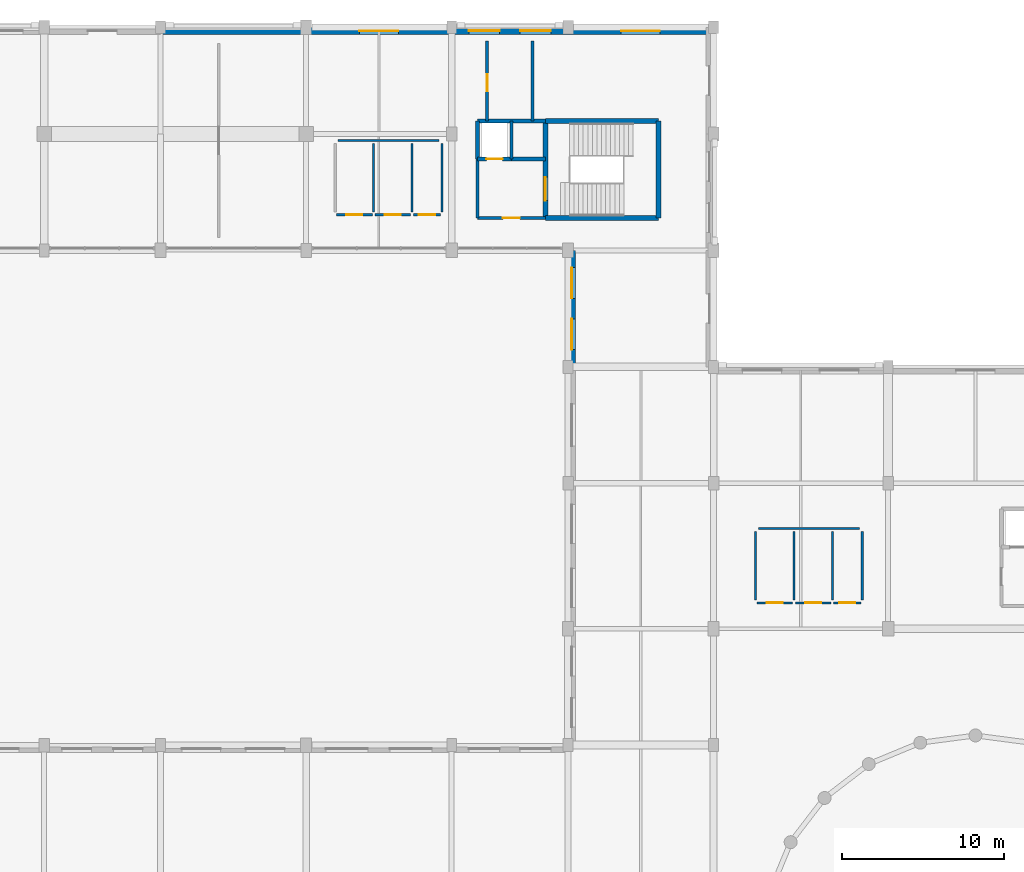
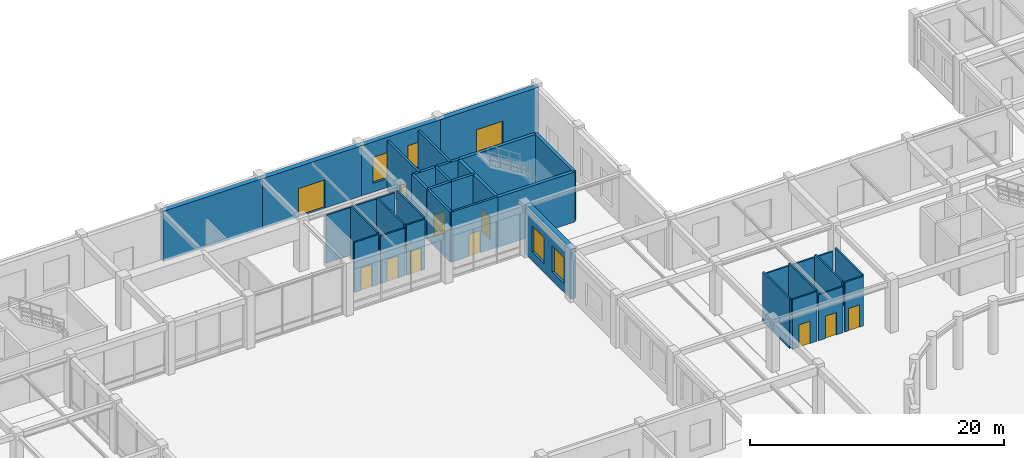
# One storey, part 50 of 64: 33 walls, 12 doors, 4 windows, 16 openings.
"""IFC4 building model written with IfcOpenShell, lengths in metres."""

from ifc_helpers import new_model, si_unit, direction, frame, frame_2d, origin, place, context, subcontext, project, spatial, rectangle, extrude, material, layer, layer_set, type_object, element, fill, save


model = new_model("IFC4")

# Units and contexts
model_context = context("Model", 3, precision=1e-05, world=origin(), true_north=direction((0.0, 1.0)))
body_context = subcontext(model_context, "Body", "Model", "MODEL_VIEW")
ifc_project = project(units=[si_unit("LENGTHUNIT", "METRE"), si_unit("AREAUNIT", "SQUARE_METRE"), si_unit("VOLUMEUNIT", "CUBIC_METRE"), si_unit("PLANEANGLEUNIT", "RADIAN"), si_unit("MASSUNIT", "GRAM", prefix="KILO")], contexts=[model_context])

# Site, building, storey
site_placement = place(None, origin())
site = spatial("IfcSite", under=ifc_project, at=site_placement, CompositionType="ELEMENT")
building_placement = place(site_placement, origin())
building = spatial("IfcBuilding", under=site, at=building_placement, Name="Clarverna Civic Hall", CompositionType="ELEMENT")
storey_placement = place(building_placement, origin())
storey = spatial("IfcBuildingStorey", under=building, at=storey_placement, Name="L00", CompositionType="ELEMENT", Elevation=0.0)

# Wall
ifc_material_1 = material(Name="Precast concrete C40/50", Category="concrete")
ifc_layer_1 = layer(ifc_material_1, 0.449951171875)
ifc_layer_set_1 = layer_set([ifc_layer_1], Name="Precast concrete C40/50")
wall_type_1 = type_object("IfcWallType", Name="EW-01", PredefinedType="SOLIDWALL", material=ifc_layer_set_1)
wall_1_placement = place(storey_placement, frame((32.39990234375, 115.77490234375, 0.0), z_axis=(0.0, 0.0, 1.0), x_axis=(1.0, 0.0, 0.0)))
element("IfcWall", 1, at=wall_1_placement, inside=storey, type_object=wall_type_1, Name="EW-01-020", PredefinedType="SOLIDWALL", context=body_context, shape_type="SweptSolid", body=[
    extrude(rectangle(XDim=9.0, YDim=0.449951171875, at=frame_2d((4.5, 0.0))), origin(), (0.0, 0.0, 1.0), 4.820068359375),
])

# Wall, opening, door
wall_2_placement = place(storey_placement, frame((41.39990234375, 115.77490234375, 0.0), z_axis=(0.0, 0.0, 1.0), x_axis=(1.0, 0.0, 0.0)))
wall_2 = element("IfcWall", 2, at=wall_2_placement, inside=storey, type_object=wall_type_1, Name="EW-01-021", PredefinedType="SOLIDWALL", context=body_context, shape_type="SweptSolid", body=[
    extrude(rectangle(XDim=9.0, YDim=0.449951171875, at=frame_2d((4.5, 0.0))), origin(), (0.0, 0.0, 1.0), 4.820068359375),
])
opening_1_placement = place(wall_2_placement, frame((3.300048828125, 0.0, 0.0)))
opening_1 = element("IfcOpeningElement", 3, at=opening_1_placement, cuts=wall_2, Name="Opening ED-01", PredefinedType="OPENING", context=body_context, shape_type="SweptSolid", body=[
    extrude(rectangle(XDim=2.39990234375, YDim=2.699951171875, at=frame_2d((1.199951171875, 1.35009765625))), frame((0.0, 0.23486328125, 0.0), z_axis=(0.0, -1.0, 0.0), x_axis=(1.0, 0.0, 0.0)), (0.0, 0.0, 1.0), 0.469970703125),
])
ifc_material_2 = material(Name="Anodised Bronze Glazed Door")
door_type_1 = type_object("IfcDoorType", Name="ED-01", OperationType="DOUBLE_DOOR_SINGLE_SWING", PredefinedType="DOOR", material=ifc_material_2)
door_1_placement = place(opening_1_placement, origin())
door_1 = element("IfcDoor", 4, at=door_1_placement, inside=storey, type_object=door_type_1, Name="ED-01-004", OperationType="DOUBLE_DOOR_SINGLE_SWING", OverallHeight=2.699951171875, OverallWidth=2.39990234375, PredefinedType="DOOR", context=body_context, shape_type="SweptSolid", body=[
    extrude(rectangle(XDim=2.39990234375, YDim=2.699951171875, at=frame_2d((1.199951171875, 1.35009765625))), frame((0.0, 0.02490234375, 0.0), z_axis=(0.0, -1.0, 0.0), x_axis=(1.0, 0.0, 0.0)), (0.0, 0.0, 1.0), 0.050048828125),
])
fill(opening_1, door_1)

# Wall, openings, windows
wall_3_placement = place(storey_placement, frame((50.39990234375, 115.77490234375, 0.0), z_axis=(0.0, 0.0, 1.0), x_axis=(1.0, 0.0, 0.0)))
wall_3 = element("IfcWall", 5, at=wall_3_placement, inside=storey, type_object=wall_type_1, Name="EW-01-022", PredefinedType="SOLIDWALL", context=body_context, shape_type="SweptSolid", body=[
    extrude(rectangle(XDim=7.2001953125, YDim=0.449951171875, at=frame_2d((3.60009765625, 0.0))), origin(), (0.0, 0.0, 1.0), 4.820068359375),
])
opening_2_placement = place(wall_3_placement, frame((1.06591796875, 0.0, 0.85009765625)))
opening_2 = element("IfcOpeningElement", 6, at=opening_2_placement, cuts=wall_3, Name="Opening WN-30", PredefinedType="OPENING", context=body_context, shape_type="SweptSolid", body=[
    extrude(rectangle(XDim=1.89990234375, YDim=2.5, at=frame_2d((0.949951171875, 1.25))), frame((0.0, 0.23486328125, 0.0), z_axis=(0.0, -1.0, 0.0), x_axis=(1.0, 0.0, 0.0)), (0.0, 0.0, 1.0), 0.469970703125),
])
opening_3_placement = place(wall_3_placement, frame((4.23388671875, 0.0, 0.85009765625)))
opening_3 = element("IfcOpeningElement", 7, at=opening_3_placement, cuts=wall_3, Name="Opening WN-30", PredefinedType="OPENING", context=body_context, shape_type="SweptSolid", body=[
    extrude(rectangle(XDim=1.89990234375, YDim=2.5, at=frame_2d((0.949951171875, 1.25))), frame((0.0, 0.23486328125, 0.0), z_axis=(0.0, -1.0, 0.0), x_axis=(1.0, 0.0, 0.0)), (0.0, 0.0, 1.0), 0.469970703125),
])
ifc_material_3 = material(Name="Solar-Control Argon Low-E Double Glazing", Category="glass")
window_type = type_object("IfcWindowType", Name="WN-30", PartitioningType="DOUBLE_PANEL_VERTICAL", PredefinedType="WINDOW", material=ifc_material_3)
window_1_placement = place(opening_2_placement, origin())
window_1 = element("IfcWindow", 8, at=window_1_placement, inside=storey, type_object=window_type, Name="WN-30-004", OverallHeight=2.5, OverallWidth=1.89990234375, PartitioningType="DOUBLE_PANEL_VERTICAL", PredefinedType="WINDOW", context=body_context, shape_type="SweptSolid", body=[
    extrude(rectangle(XDim=1.89990234375, YDim=2.5, at=frame_2d((0.949951171875, 1.25))), frame((0.0, 0.030029296875, 0.0), z_axis=(0.0, -1.0, 0.0), x_axis=(1.0, 0.0, 0.0)), (0.0, 0.0, 1.0), 0.06005859375),
])
fill(opening_2, window_1)
window_2_placement = place(opening_3_placement, origin())
window_2 = element("IfcWindow", 9, at=window_2_placement, inside=storey, type_object=window_type, Name="WN-30-005", OverallHeight=2.5, OverallWidth=1.89990234375, PartitioningType="DOUBLE_PANEL_VERTICAL", PredefinedType="WINDOW", context=body_context, shape_type="SweptSolid", body=[
    extrude(rectangle(XDim=1.89990234375, YDim=2.5, at=frame_2d((0.949951171875, 1.25))), frame((0.0, 0.030029296875, 0.0), z_axis=(0.0, -1.0, 0.0), x_axis=(1.0, 0.0, 0.0)), (0.0, 0.0, 1.0), 0.06005859375),
])
fill(opening_3, window_2)

# Wall, opening, door
wall_4_placement = place(storey_placement, frame((57.60009765625, 115.77490234375, 0.0), z_axis=(0.0, 0.0, 1.0), x_axis=(1.0, 0.0, 0.0)))
wall_4 = element("IfcWall", 10, at=wall_4_placement, inside=storey, type_object=wall_type_1, Name="EW-01-023", PredefinedType="SOLIDWALL", context=body_context, shape_type="SweptSolid", body=[
    extrude(rectangle(XDim=8.974853515625, YDim=0.449951171875, at=frame_2d((4.4873046875, 0.0))), origin(), (0.0, 0.0, 1.0), 4.820068359375),
])
opening_4_placement = place(wall_4_placement, frame((3.28759765625, 0.0, 0.0)))
opening_4 = element("IfcOpeningElement", 11, at=opening_4_placement, cuts=wall_4, Name="Opening ED-01", PredefinedType="OPENING", context=body_context, shape_type="SweptSolid", body=[
    extrude(rectangle(XDim=2.39990234375, YDim=2.699951171875, at=frame_2d((1.199951171875, 1.35009765625))), frame((0.0, 0.23486328125, 0.0), z_axis=(0.0, -1.0, 0.0), x_axis=(1.0, 0.0, 0.0)), (0.0, 0.0, 1.0), 0.469970703125),
])
door_2_placement = place(opening_4_placement, origin())
door_2 = element("IfcDoor", 12, at=door_2_placement, inside=storey, type_object=door_type_1, Name="ED-01-005", OperationType="DOUBLE_DOOR_SINGLE_SWING", OverallHeight=2.699951171875, OverallWidth=2.39990234375, PredefinedType="DOOR", context=body_context, shape_type="SweptSolid", body=[
    extrude(rectangle(XDim=2.39990234375, YDim=2.699951171875, at=frame_2d((1.199951171875, 1.35009765625))), frame((0.0, 0.02490234375, 0.0), z_axis=(0.0, -1.0, 0.0), x_axis=(1.0, 0.0, 0.0)), (0.0, 0.0, 1.0), 0.050048828125),
])
fill(opening_4, door_2)

# Wall, openings, windows
wall_5_placement = place(storey_placement, frame((57.824951171875, 95.0, 0.0), z_axis=(0.0, 0.0, 1.0), x_axis=(0.0, 1.0, 0.0)))
wall_5 = element("IfcWall", 13, at=wall_5_placement, inside=storey, type_object=wall_type_1, Name="EW-01-094", PredefinedType="SOLIDWALL", context=body_context, shape_type="SweptSolid", body=[
    extrude(rectangle(XDim=7.199951171875, YDim=0.449951171875, at=frame_2d((3.60009765625, 0.0))), origin(), (0.0, 0.0, 1.0), 4.820068359375),
])
opening_5_placement = place(wall_5_placement, frame((1.06591796875, 0.0, 0.85009765625)))
opening_5 = element("IfcOpeningElement", 14, at=opening_5_placement, cuts=wall_5, Name="Opening WN-30", PredefinedType="OPENING", context=body_context, shape_type="SweptSolid", body=[
    extrude(rectangle(XDim=1.89990234375, YDim=2.5, at=frame_2d((0.949951171875, 1.25))), frame((0.0, 0.23486328125, 0.0), z_axis=(0.0, -1.0, 0.0), x_axis=(1.0, 0.0, 0.0)), (0.0, 0.0, 1.0), 0.469970703125),
])
opening_6_placement = place(wall_5_placement, frame((4.23388671875, 0.0, 0.85009765625)))
opening_6 = element("IfcOpeningElement", 15, at=opening_6_placement, cuts=wall_5, Name="Opening WN-30", PredefinedType="OPENING", context=body_context, shape_type="SweptSolid", body=[
    extrude(rectangle(XDim=1.89990234375, YDim=2.5, at=frame_2d((0.949951171875, 1.25))), frame((0.0, 0.23486328125, 0.0), z_axis=(0.0, -1.0, 0.0), x_axis=(1.0, 0.0, 0.0)), (0.0, 0.0, 1.0), 0.469970703125),
])
window_3_placement = place(opening_5_placement, origin())
window_3 = element("IfcWindow", 16, at=window_3_placement, inside=storey, type_object=window_type, Name="WN-30-022", OverallHeight=2.5, OverallWidth=1.89990234375, PartitioningType="DOUBLE_PANEL_VERTICAL", PredefinedType="WINDOW", context=body_context, shape_type="SweptSolid", body=[
    extrude(rectangle(XDim=1.89990234375, YDim=2.5, at=frame_2d((0.949951171875, 1.25))), frame((0.0, 0.030029296875, 0.0), z_axis=(0.0, -1.0, 0.0), x_axis=(1.0, 0.0, 0.0)), (0.0, 0.0, 1.0), 0.06005859375),
])
fill(opening_5, window_3)
window_4_placement = place(opening_6_placement, origin())
window_4 = element("IfcWindow", 17, at=window_4_placement, inside=storey, type_object=window_type, Name="WN-30-023", OverallHeight=2.5, OverallWidth=1.89990234375, PartitioningType="DOUBLE_PANEL_VERTICAL", PredefinedType="WINDOW", context=body_context, shape_type="SweptSolid", body=[
    extrude(rectangle(XDim=1.89990234375, YDim=2.5, at=frame_2d((0.949951171875, 1.25))), frame((0.0, 0.030029296875, 0.0), z_axis=(0.0, -1.0, 0.0), x_axis=(1.0, 0.0, 0.0)), (0.0, 0.0, 1.0), 0.06005859375),
])
fill(opening_6, window_4)

# Walls
ifc_material_4 = material(Name="Ceramic Brick and Plaster Wet-Room Partition", Category="masonry")
ifc_layer_2 = layer(ifc_material_4, 0.139892578125)
ifc_layer_set_2 = layer_set([ifc_layer_2], Name="Ceramic Brick and Plaster Wet-Room Partition")
wall_type_2 = type_object("IfcWallType", Name="PW-02", PredefinedType="PARTITIONING", material=ifc_layer_set_2)
wall_6_placement = place(storey_placement, frame((69.3798828125, 85.0, 0.0), z_axis=(0.0, 0.0, 1.0), x_axis=(1.0, 0.0, 0.0)))
element("IfcWall", 18, at=wall_6_placement, inside=storey, type_object=wall_type_2, Name="PW-02-073", PredefinedType="PARTITIONING", context=body_context, shape_type="SweptSolid", body=[
    extrude(rectangle(XDim=6.240234375, YDim=0.139892578125, at=frame_2d((3.1201171875, 0.0))), origin(), (0.0, 0.0, 1.0), 4.419921875),
])
for number, where, z_axis, x_axis, name in (
    (19, (69.199951171875, 80.580078125, 0.0), (0.0, 0.0, 1.0), (0.0, 1.0, 0.0), "PW-02-074"),
    (20, (75.800048828125, 80.580078125, 0.0), (0.0, 0.0, 1.0), (0.0, 1.0, 0.0), "PW-02-075"),
    (21, (71.575927734375, 80.580078125, 0.0), (0.0, 0.0, 1.0), (0.0, 1.0, 0.0), "PW-02-076"),
    (22, (73.951904296875, 80.580078125, 0.0), (0.0, 0.0, 1.0), (0.0, 1.0, 0.0), "PW-02-077"),
):
    element("IfcWall", number, at=place(storey_placement, frame(where, z_axis=z_axis, x_axis=x_axis)), inside=storey, type_object=wall_type_2, Name=name, PredefinedType="PARTITIONING", context=body_context, shape_type="SweptSolid", body=[
        extrude(rectangle(XDim=4.239990234375, YDim=0.139892578125, at=frame_2d((2.1201171875, 0.0))), origin(), (0.0, 0.0, 1.0), 4.780029296875),
    ])

# Wall, opening, door
wall_7_placement = place(storey_placement, frame((69.280029296875, 80.39990234375, 0.0), z_axis=(0.0, 0.0, 1.0), x_axis=(1.0, 0.0, 0.0)))
wall_7 = element("IfcWall", 23, at=wall_7_placement, inside=storey, type_object=wall_type_2, Name="PW-02-078", PredefinedType="PARTITIONING", context=body_context, shape_type="SweptSolid", body=[
    extrude(rectangle(XDim=2.216064453125, YDim=0.139892578125, at=frame_2d((1.10791015625, 0.0))), origin(), (0.0, 0.0, 1.0), 4.780029296875),
])
opening_7_placement = place(wall_7_placement, frame((0.60791015625, 0.0, 0.0)))
opening_7 = element("IfcOpeningElement", 24, at=opening_7_placement, cuts=wall_7, Name="Opening ID-02", PredefinedType="OPENING", context=body_context, shape_type="SweptSolid", body=[
    extrude(rectangle(XDim=1.0, YDim=2.14990234375, at=frame_2d((0.5, 1.074951171875))), frame((0.0, 0.079833984375, 0.0), z_axis=(0.0, -1.0, 0.0), x_axis=(1.0, 0.0, 0.0)), (0.0, 0.0, 1.0), 0.159912109375),
])
ifc_material_5 = material(Name="European Oak Veneered Acoustic Timber Door", Category="wood")
door_type_2 = type_object("IfcDoorType", Name="ID-02", OperationType="NOTDEFINED", PredefinedType="DOOR", material=ifc_material_5)
door_3_placement = place(opening_7_placement, origin())
door_3 = element("IfcDoor", 25, at=door_3_placement, inside=storey, type_object=door_type_2, Name="ID-02-028", OperationType="SINGLE_SWING_RIGHT", OverallHeight=2.14990234375, OverallWidth=1.0, PredefinedType="DOOR", context=body_context, shape_type="SweptSolid", body=[
    extrude(rectangle(XDim=1.0, YDim=2.14990234375, at=frame_2d((0.5, 1.074951171875))), frame((0.0, 0.02490234375, 0.0), z_axis=(0.0, -1.0, 0.0), x_axis=(1.0, 0.0, 0.0)), (0.0, 0.0, 1.0), 0.050048828125),
])
fill(opening_7, door_3)

wall_8_placement = place(storey_placement, frame((71.656005859375, 80.39990234375, 0.0), z_axis=(0.0, 0.0, 1.0), x_axis=(1.0, 0.0, 0.0)))
wall_8 = element("IfcWall", 26, at=wall_8_placement, inside=storey, type_object=wall_type_2, Name="PW-02-079", PredefinedType="PARTITIONING", context=body_context, shape_type="SweptSolid", body=[
    extrude(rectangle(XDim=2.216064453125, YDim=0.139892578125, at=frame_2d((1.10791015625, 0.0))), origin(), (0.0, 0.0, 1.0), 4.419921875),
])
opening_8_placement = place(wall_8_placement, frame((0.60791015625, 0.0, 0.0)))
opening_8 = element("IfcOpeningElement", 27, at=opening_8_placement, cuts=wall_8, Name="Opening ID-02", PredefinedType="OPENING", context=body_context, shape_type="SweptSolid", body=[
    extrude(rectangle(XDim=1.0, YDim=2.14990234375, at=frame_2d((0.5, 1.074951171875))), frame((0.0, 0.079833984375, 0.0), z_axis=(0.0, -1.0, 0.0), x_axis=(1.0, 0.0, 0.0)), (0.0, 0.0, 1.0), 0.159912109375),
])
door_4_placement = place(opening_8_placement, origin())
door_4 = element("IfcDoor", 28, at=door_4_placement, inside=storey, type_object=door_type_2, Name="ID-02-029", OperationType="SINGLE_SWING_LEFT", OverallHeight=2.14990234375, OverallWidth=1.0, PredefinedType="DOOR", context=body_context, shape_type="SweptSolid", body=[
    extrude(rectangle(XDim=1.0, YDim=2.14990234375, at=frame_2d((0.5, 1.074951171875))), frame((0.0, 0.02490234375, 0.0), z_axis=(0.0, -1.0, 0.0), x_axis=(1.0, 0.0, 0.0)), (0.0, 0.0, 1.0), 0.050048828125),
])
fill(opening_8, door_4)

wall_9_placement = place(storey_placement, frame((74.031982421875, 80.39990234375, 0.0), z_axis=(0.0, 0.0, 1.0), x_axis=(1.0, 0.0, 0.0)))
wall_9 = element("IfcWall", 29, at=wall_9_placement, inside=storey, type_object=wall_type_2, Name="PW-02-080", PredefinedType="PARTITIONING", context=body_context, shape_type="SweptSolid", body=[
    extrude(rectangle(XDim=1.68798828125, YDim=0.139892578125, at=frame_2d((0.843994140625, 0.0))), origin(), (0.0, 0.0, 1.0), 4.780029296875),
])
opening_9_placement = place(wall_9_placement, frame((0.343994140625, 0.0, 0.0)))
opening_9 = element("IfcOpeningElement", 30, at=opening_9_placement, cuts=wall_9, Name="Opening ID-02", PredefinedType="OPENING", context=body_context, shape_type="SweptSolid", body=[
    extrude(rectangle(XDim=1.0, YDim=2.14990234375, at=frame_2d((0.5, 1.074951171875))), frame((0.0, 0.079833984375, 0.0), z_axis=(0.0, -1.0, 0.0), x_axis=(1.0, 0.0, 0.0)), (0.0, 0.0, 1.0), 0.159912109375),
])
door_5_placement = place(opening_9_placement, origin())
door_5 = element("IfcDoor", 31, at=door_5_placement, inside=storey, type_object=door_type_2, Name="ID-02-030", OperationType="SINGLE_SWING_RIGHT", OverallHeight=2.14990234375, OverallWidth=1.0, PredefinedType="DOOR", context=body_context, shape_type="SweptSolid", body=[
    extrude(rectangle(XDim=1.0, YDim=2.14990234375, at=frame_2d((0.5, 1.074951171875))), frame((0.0, 0.02490234375, 0.0), z_axis=(0.0, -1.0, 0.0), x_axis=(1.0, 0.0, 0.0)), (0.0, 0.0, 1.0), 0.050048828125),
])
fill(opening_9, door_5)

# Walls
wall_10_placement = place(storey_placement, frame((43.3798828125, 109.0, 0.0), z_axis=(0.0, 0.0, 1.0), x_axis=(1.0, 0.0, 0.0)))
element("IfcWall", 32, at=wall_10_placement, inside=storey, type_object=wall_type_2, Name="PW-02-121", PredefinedType="PARTITIONING", context=body_context, shape_type="SweptSolid", body=[
    extrude(rectangle(XDim=6.240234375, YDim=0.139892578125, at=frame_2d((3.1201171875, 0.0))), origin(), (0.0, 0.0, 1.0), 4.60009765625),
])
for number, where, z_axis, x_axis, name in (
    (33, (49.800048828125, 104.580078125, 0.0), (0.0, 0.0, 1.0), (0.0, 1.0, 0.0), "PW-02-123"),
    (34, (45.575927734375, 104.580078125, 0.0), (0.0, 0.0, 1.0), (0.0, 1.0, 0.0), "PW-02-124"),
    (35, (47.951904296875, 104.580078125, 0.0), (0.0, 0.0, 1.0), (0.0, 1.0, 0.0), "PW-02-125"),
):
    element("IfcWall", number, at=place(storey_placement, frame(where, z_axis=z_axis, x_axis=x_axis)), inside=storey, type_object=wall_type_2, Name=name, PredefinedType="PARTITIONING", context=body_context, shape_type="SweptSolid", body=[
        extrude(rectangle(XDim=4.239990234375, YDim=0.139892578125, at=frame_2d((2.1201171875, 0.0))), origin(), (0.0, 0.0, 1.0), 4.820068359375),
    ])

# Wall, opening, door
wall_11_placement = place(storey_placement, frame((43.280029296875, 104.39990234375, 0.0), z_axis=(0.0, 0.0, 1.0), x_axis=(1.0, 0.0, 0.0)))
wall_11 = element("IfcWall", 36, at=wall_11_placement, inside=storey, type_object=wall_type_2, Name="PW-02-126", PredefinedType="PARTITIONING", context=body_context, shape_type="SweptSolid", body=[
    extrude(rectangle(XDim=2.216064453125, YDim=0.139892578125, at=frame_2d((1.10791015625, 0.0))), origin(), (0.0, 0.0, 1.0), 4.820068359375),
])
opening_10_placement = place(wall_11_placement, frame((0.60791015625, 0.0, 0.0)))
opening_10 = element("IfcOpeningElement", 37, at=opening_10_placement, cuts=wall_11, Name="Opening ID-02", PredefinedType="OPENING", context=body_context, shape_type="SweptSolid", body=[
    extrude(rectangle(XDim=1.0, YDim=2.14990234375, at=frame_2d((0.5, 1.074951171875))), frame((0.0, 0.079833984375, 0.0), z_axis=(0.0, -1.0, 0.0), x_axis=(1.0, 0.0, 0.0)), (0.0, 0.0, 1.0), 0.159912109375),
])
door_6_placement = place(opening_10_placement, origin())
door_6 = element("IfcDoor", 38, at=door_6_placement, inside=storey, type_object=door_type_2, Name="ID-02-046", OperationType="SINGLE_SWING_RIGHT", OverallHeight=2.14990234375, OverallWidth=1.0, PredefinedType="DOOR", context=body_context, shape_type="SweptSolid", body=[
    extrude(rectangle(XDim=1.0, YDim=2.14990234375, at=frame_2d((0.5, 1.074951171875))), frame((0.0, 0.02490234375, 0.0), z_axis=(0.0, -1.0, 0.0), x_axis=(1.0, 0.0, 0.0)), (0.0, 0.0, 1.0), 0.050048828125),
])
fill(opening_10, door_6)

wall_12_placement = place(storey_placement, frame((45.656005859375, 104.39990234375, 0.0), z_axis=(0.0, 0.0, 1.0), x_axis=(1.0, 0.0, 0.0)))
wall_12 = element("IfcWall", 39, at=wall_12_placement, inside=storey, type_object=wall_type_2, Name="PW-02-127", PredefinedType="PARTITIONING", context=body_context, shape_type="SweptSolid", body=[
    extrude(rectangle(XDim=2.216064453125, YDim=0.139892578125, at=frame_2d((1.10791015625, 0.0))), origin(), (0.0, 0.0, 1.0), 4.60009765625),
])
opening_11_placement = place(wall_12_placement, frame((0.60791015625, 0.0, 0.0)))
opening_11 = element("IfcOpeningElement", 40, at=opening_11_placement, cuts=wall_12, Name="Opening ID-02", PredefinedType="OPENING", context=body_context, shape_type="SweptSolid", body=[
    extrude(rectangle(XDim=1.0, YDim=2.14990234375, at=frame_2d((0.5, 1.074951171875))), frame((0.0, 0.079833984375, 0.0), z_axis=(0.0, -1.0, 0.0), x_axis=(1.0, 0.0, 0.0)), (0.0, 0.0, 1.0), 0.159912109375),
])
door_7_placement = place(opening_11_placement, origin())
door_7 = element("IfcDoor", 41, at=door_7_placement, inside=storey, type_object=door_type_2, Name="ID-02-047", OperationType="SINGLE_SWING_LEFT", OverallHeight=2.14990234375, OverallWidth=1.0, PredefinedType="DOOR", context=body_context, shape_type="SweptSolid", body=[
    extrude(rectangle(XDim=1.0, YDim=2.14990234375, at=frame_2d((0.5, 1.074951171875))), frame((0.0, 0.02490234375, 0.0), z_axis=(0.0, -1.0, 0.0), x_axis=(1.0, 0.0, 0.0)), (0.0, 0.0, 1.0), 0.050048828125),
])
fill(opening_11, door_7)

wall_13_placement = place(storey_placement, frame((48.031982421875, 104.39990234375, 0.0), z_axis=(0.0, 0.0, 1.0), x_axis=(1.0, 0.0, 0.0)))
wall_13 = element("IfcWall", 42, at=wall_13_placement, inside=storey, type_object=wall_type_2, Name="PW-02-128", PredefinedType="PARTITIONING", context=body_context, shape_type="SweptSolid", body=[
    extrude(rectangle(XDim=1.68798828125, YDim=0.139892578125, at=frame_2d((0.843994140625, 0.0))), origin(), (0.0, 0.0, 1.0), 4.820068359375),
])
opening_12_placement = place(wall_13_placement, frame((0.343994140625, 0.0, 0.0)))
opening_12 = element("IfcOpeningElement", 43, at=opening_12_placement, cuts=wall_13, Name="Opening ID-02", PredefinedType="OPENING", context=body_context, shape_type="SweptSolid", body=[
    extrude(rectangle(XDim=1.0, YDim=2.14990234375, at=frame_2d((0.5, 1.074951171875))), frame((0.0, 0.079833984375, 0.0), z_axis=(0.0, -1.0, 0.0), x_axis=(1.0, 0.0, 0.0)), (0.0, 0.0, 1.0), 0.159912109375),
])
door_8_placement = place(opening_12_placement, origin())
door_8 = element("IfcDoor", 44, at=door_8_placement, inside=storey, type_object=door_type_2, Name="ID-02-048", OperationType="SINGLE_SWING_RIGHT", OverallHeight=2.14990234375, OverallWidth=1.0, PredefinedType="DOOR", context=body_context, shape_type="SweptSolid", body=[
    extrude(rectangle(XDim=1.0, YDim=2.14990234375, at=frame_2d((0.5, 1.074951171875))), frame((0.0, 0.02490234375, 0.0), z_axis=(0.0, -1.0, 0.0), x_axis=(1.0, 0.0, 0.0)), (0.0, 0.0, 1.0), 0.050048828125),
])
fill(opening_12, door_8)

# Wall
ifc_material_6 = material(Name="Acoustic Gypsum Plasterboard on Twin Frame", Category="gypsum")
ifc_layer_3 = layer(ifc_material_6, 0.18994140625)
ifc_layer_set_3 = layer_set([ifc_layer_3], Name="Acoustic Gypsum Plasterboard on Twin Frame")
wall_type_3 = type_object("IfcWallType", Name="PW-06", PredefinedType="PARTITIONING", material=ifc_layer_set_3)
wall_14_placement = place(storey_placement, frame((52.0, 104.199951171875, 0.0), z_axis=(0.0, 0.0, 1.0), x_axis=(0.0, 1.0, 0.0)))
element("IfcWall", 45, at=wall_14_placement, inside=storey, type_object=wall_type_3, Name="PW-06-105", PredefinedType="PARTITIONING", context=body_context, shape_type="SweptSolid", body=[
    extrude(rectangle(XDim=3.650146484375, YDim=0.18994140625, at=frame_2d((1.8251953125, 0.0))), origin(), (0.0, 0.0, 1.0), 4.820068359375),
])

# Wall, opening, door
wall_15_placement = place(storey_placement, frame((52.0, 104.199951171875, 0.0), z_axis=(0.0, 0.0, 1.0), x_axis=(1.0, 0.0, 0.0)))
wall_15 = element("IfcWall", 46, at=wall_15_placement, inside=storey, type_object=wall_type_3, Name="PW-06-106", PredefinedType="PARTITIONING", context=body_context, shape_type="SweptSolid", body=[
    extrude(rectangle(XDim=4.199951171875, YDim=0.18994140625, at=frame_2d((2.10009765625, 0.0))), origin(), (0.0, 0.0, 1.0), 4.820068359375),
])
opening_13_placement = place(wall_15_placement, frame((1.574951171875, 0.0, 0.0)))
opening_13 = element("IfcOpeningElement", 47, at=opening_13_placement, cuts=wall_15, Name="Opening FD-02", PredefinedType="OPENING", context=body_context, shape_type="SweptSolid", body=[
    extrude(rectangle(XDim=1.050048828125, YDim=2.14990234375, at=frame_2d((0.52490234375, 1.074951171875))), frame((0.0, 0.10498046875, 0.0), z_axis=(0.0, -1.0, 0.0), x_axis=(1.0, 0.0, 0.0)), (0.0, 0.0, 1.0), 0.2099609375),
])
ifc_material_7 = material(Name="Acoustic Timber-Faced Fire Door", Category="wood")
door_type_3 = type_object("IfcDoorType", Name="FD-02", OperationType="NOTDEFINED", PredefinedType="DOOR", material=ifc_material_7)
door_9_placement = place(opening_13_placement, origin())
door_9 = element("IfcDoor", 48, at=door_9_placement, inside=storey, type_object=door_type_3, Name="FD-02-097", OperationType="SINGLE_SWING_RIGHT", OverallHeight=2.14990234375, OverallWidth=1.050048828125, PredefinedType="DOOR", context=body_context, shape_type="SweptSolid", body=[
    extrude(rectangle(XDim=1.050048828125, YDim=2.14990234375, at=frame_2d((0.52490234375, 1.074951171875))), frame((0.0, 0.02490234375, 0.0), z_axis=(0.0, -1.0, 0.0), x_axis=(1.0, 0.0, 0.0)), (0.0, 0.0, 1.0), 0.050048828125),
])
fill(opening_13, door_9)

wall_16_placement = place(storey_placement, frame((52.60009765625, 110.199951171875, 0.0), z_axis=(0.0, 0.0, 1.0), x_axis=(0.0, 1.0, 0.0)))
wall_16 = element("IfcWall", 49, at=wall_16_placement, inside=storey, type_object=wall_type_3, Name="PW-06-135", PredefinedType="PARTITIONING", context=body_context, shape_type="SweptSolid", body=[
    extrude(rectangle(XDim=4.949951171875, YDim=0.18994140625, at=frame_2d((2.47509765625, 0.0))), origin(), (0.0, 0.0, 1.0), 4.820068359375),
])
opening_14_placement = place(wall_16_placement, frame((1.85009765625, 0.0, 0.0)))
opening_14 = element("IfcOpeningElement", 50, at=opening_14_placement, cuts=wall_16, Name="Opening FD-02", PredefinedType="OPENING", context=body_context, shape_type="SweptSolid", body=[
    extrude(rectangle(XDim=1.050048828125, YDim=2.14990234375, at=frame_2d((0.52490234375, 1.074951171875))), frame((0.0, 0.10498046875, 0.0), z_axis=(0.0, -1.0, 0.0), x_axis=(1.0, 0.0, 0.0)), (0.0, 0.0, 1.0), 0.2099609375),
])
door_10_placement = place(opening_14_placement, origin())
door_10 = element("IfcDoor", 51, at=door_10_placement, inside=storey, type_object=door_type_3, Name="FD-02-120", OperationType="SINGLE_SWING_LEFT", OverallHeight=2.14990234375, OverallWidth=1.050048828125, PredefinedType="DOOR", context=body_context, shape_type="SweptSolid", body=[
    extrude(rectangle(XDim=1.050048828125, YDim=2.14990234375, at=frame_2d((0.52490234375, 1.074951171875))), frame((0.0, 0.02490234375, 0.0), z_axis=(0.0, -1.0, 0.0), x_axis=(1.0, 0.0, 0.0)), (0.0, 0.0, 1.0), 0.050048828125),
])
fill(opening_14, door_10)

# Wall
wall_17_placement = place(storey_placement, frame((55.39990234375, 110.199951171875, 0.0), z_axis=(0.0, 0.0, 1.0), x_axis=(0.0, 1.0, 0.0)))
element("IfcWall", 52, at=wall_17_placement, inside=storey, type_object=wall_type_3, Name="PW-06-136", PredefinedType="PARTITIONING", context=body_context, shape_type="SweptSolid", body=[
    extrude(rectangle(XDim=4.949951171875, YDim=0.18994140625, at=frame_2d((2.47509765625, 0.0))), origin(), (0.0, 0.0, 1.0), 4.820068359375),
])

# Wall, opening, door
ifc_material_8 = material(Name="Concrete C35/45", Category="concrete")
ifc_layer_4 = layer(ifc_material_8, 0.300048828125)
ifc_layer_set_4 = layer_set([ifc_layer_4], Name="Concrete C35/45")
wall_type_4 = type_object("IfcWallType", Name="SW-03", PredefinedType="SHEAR", material=ifc_layer_set_4)
wall_18_placement = place(storey_placement, frame((56.199951171875, 104.199951171875, 0.0), z_axis=(0.0, 0.0, 1.0), x_axis=(0.0, 1.0, 0.0)))
wall_18 = element("IfcWall", 53, at=wall_18_placement, inside=storey, type_object=wall_type_4, Name="SW-03-217", PredefinedType="SHEAR", context=body_context, shape_type="SweptSolid", body=[
    extrude(rectangle(XDim=6.0, YDim=0.300048828125, at=frame_2d((3.0, 0.0))), origin(), (0.0, 0.0, 1.0), 4.820068359375),
])
opening_15_placement = place(wall_18_placement, frame((1.074951171875, 0.0, 0.0)))
opening_15 = element("IfcOpeningElement", 54, at=opening_15_placement, cuts=wall_18, Name="Opening FD-01", PredefinedType="OPENING", context=body_context, shape_type="SweptSolid", body=[
    extrude(rectangle(XDim=1.449951171875, YDim=2.199951171875, at=frame_2d((0.72509765625, 1.10009765625))), frame((0.0, 0.159912109375, 0.0), z_axis=(0.0, -1.0, 0.0), x_axis=(1.0, 0.0, 0.0)), (0.0, 0.0, 1.0), 0.320068359375),
])
door_type_4 = type_object("IfcDoorType", Name="FD-01", OperationType="DOUBLE_DOOR_SINGLE_SWING", PredefinedType="DOOR", material=ifc_material_7)
door_11_placement = place(opening_15_placement, origin())
door_11 = element("IfcDoor", 55, at=door_11_placement, inside=storey, type_object=door_type_4, Name="FD-01-009", OperationType="DOUBLE_DOOR_SINGLE_SWING", OverallHeight=2.199951171875, OverallWidth=1.449951171875, PredefinedType="DOOR", context=body_context, shape_type="SweptSolid", body=[
    extrude(rectangle(XDim=1.449951171875, YDim=2.199951171875, at=frame_2d((0.72509765625, 1.10009765625))), frame((0.0, 0.02490234375, 0.0), z_axis=(0.0, -1.0, 0.0), x_axis=(1.0, 0.0, 0.0)), (0.0, 0.0, 1.0), 0.050048828125),
])
fill(opening_15, door_11)

# Walls
wall_19_placement = place(storey_placement, frame((63.199951171875, 104.199951171875, 0.0), z_axis=(0.0, 0.0, 1.0), x_axis=(0.0, 1.0, 0.0)))
element("IfcWall", 56, at=wall_19_placement, inside=storey, type_object=wall_type_4, Name="SW-03-218", PredefinedType="SHEAR", context=body_context, shape_type="SweptSolid", body=[
    extrude(rectangle(XDim=6.0, YDim=0.300048828125, at=frame_2d((3.0, 0.0))), origin(), (0.0, 0.0, 1.0), 4.820068359375),
])
for number, where, z_axis, x_axis, name in (
    (57, (56.199951171875, 104.199951171875, 0.0), (0.0, 0.0, 1.0), (1.0, 0.0, 0.0), "SW-03-219"),
    (58, (56.199951171875, 110.199951171875, 0.0), (0.0, 0.0, 1.0), (1.0, 0.0, 0.0), "SW-03-220"),
):
    element("IfcWall", number, at=place(storey_placement, frame(where, z_axis=z_axis, x_axis=x_axis)), inside=storey, type_object=wall_type_4, Name=name, PredefinedType="SHEAR", context=body_context, shape_type="SweptSolid", body=[
        extrude(rectangle(XDim=7.0, YDim=0.300048828125, at=frame_2d((3.5, 0.0))), origin(), (0.0, 0.0, 1.0), 4.820068359375),
    ])
wall_20_placement = place(storey_placement, frame((52.0, 110.199951171875, 0.0), z_axis=(0.0, 0.0, 1.0), x_axis=(1.0, 0.0, 0.0)))
element("IfcWall", 59, at=wall_20_placement, inside=storey, type_object=wall_type_4, Name="SW-03-221", PredefinedType="SHEAR", context=body_context, shape_type="SweptSolid", body=[
    extrude(rectangle(XDim=4.199951171875, YDim=0.239990234375, at=frame_2d((2.10009765625, 0.0))), origin(), (0.0, 0.0, 1.0), 4.820068359375),
])
wall_21_placement = place(storey_placement, frame((52.0, 107.85009765625, 0.0), z_axis=(0.0, 0.0, 1.0), x_axis=(0.0, 1.0, 0.0)))
element("IfcWall", 60, at=wall_21_placement, inside=storey, type_object=wall_type_4, Name="SW-03-222", PredefinedType="SHEAR", context=body_context, shape_type="SweptSolid", body=[
    extrude(rectangle(XDim=2.349853515625, YDim=0.239990234375, at=frame_2d((1.1748046875, 0.0))), origin(), (0.0, 0.0, 1.0), 4.820068359375),
])
wall_22_placement = place(storey_placement, frame((54.10009765625, 107.85009765625, 0.0), z_axis=(0.0, 0.0, 1.0), x_axis=(0.0, 1.0, 0.0)))
element("IfcWall", 61, at=wall_22_placement, inside=storey, type_object=wall_type_4, Name="SW-03-223", PredefinedType="SHEAR", context=body_context, shape_type="SweptSolid", body=[
    extrude(rectangle(XDim=2.349853515625, YDim=0.199951171875, at=frame_2d((1.1748046875, 0.0))), origin(), (0.0, 0.0, 1.0), 4.820068359375),
])

# Wall, opening, door
wall_23_placement = place(storey_placement, frame((52.0, 107.85009765625, 0.0), z_axis=(0.0, 0.0, 1.0), x_axis=(1.0, 0.0, 0.0)))
wall_23 = element("IfcWall", 62, at=wall_23_placement, inside=storey, type_object=wall_type_4, Name="SW-03-224", PredefinedType="SHEAR", context=body_context, shape_type="SweptSolid", body=[
    extrude(rectangle(XDim=2.10009765625, YDim=0.239990234375, at=frame_2d((1.050048828125, 0.0))), origin(), (0.0, 0.0, 1.0), 4.820068359375),
])
opening_16_placement = place(wall_23_placement, frame((0.550048828125, 0.0, 0.0)))
opening_16 = element("IfcOpeningElement", 63, at=opening_16_placement, cuts=wall_23, Name="Opening LD-01", PredefinedType="OPENING", context=body_context, shape_type="SweptSolid", body=[
    extrude(rectangle(XDim=1.0, YDim=2.10009765625, at=frame_2d((0.5, 1.050048828125))), frame((0.0, 0.1298828125, 0.0), z_axis=(0.0, -1.0, 0.0), x_axis=(1.0, 0.0, 0.0)), (0.0, 0.0, 1.0), 0.260009765625),
])
ifc_material_9 = material(Name="Brushed Bronze Stainless Lift Landing Door")
door_type_5 = type_object("IfcDoorType", Name="LD-01", OperationType="SLIDING_TO_LEFT", PredefinedType="DOOR", material=ifc_material_9)
door_12_placement = place(opening_16_placement, origin())
door_12 = element("IfcDoor", 64, at=door_12_placement, inside=storey, type_object=door_type_5, Name="LD-01-072", OperationType="SLIDING_TO_LEFT", OverallHeight=2.10009765625, OverallWidth=1.0, PredefinedType="DOOR", context=body_context, shape_type="SweptSolid", body=[
    extrude(rectangle(XDim=1.0, YDim=2.10009765625, at=frame_2d((0.5, 1.050048828125))), frame((0.0, 0.02490234375, 0.0), z_axis=(0.0, -1.0, 0.0), x_axis=(1.0, 0.0, 0.0)), (0.0, 0.0, 1.0), 0.050048828125),
])
fill(opening_16, door_12)

# Wall
wall_24_placement = place(storey_placement, frame((54.10009765625, 107.85009765625, 0.0), z_axis=(0.0, 0.0, 1.0), x_axis=(1.0, 0.0, 0.0)))
element("IfcWall", 65, at=wall_24_placement, inside=storey, type_object=wall_type_4, Name="SW-03-225", PredefinedType="SHEAR", context=body_context, shape_type="SweptSolid", body=[
    extrude(rectangle(XDim=2.099853515625, YDim=0.239990234375, at=frame_2d((1.0498046875, 0.0))), origin(), (0.0, 0.0, 1.0), 4.820068359375),
])

save(model, "model.ifc")
